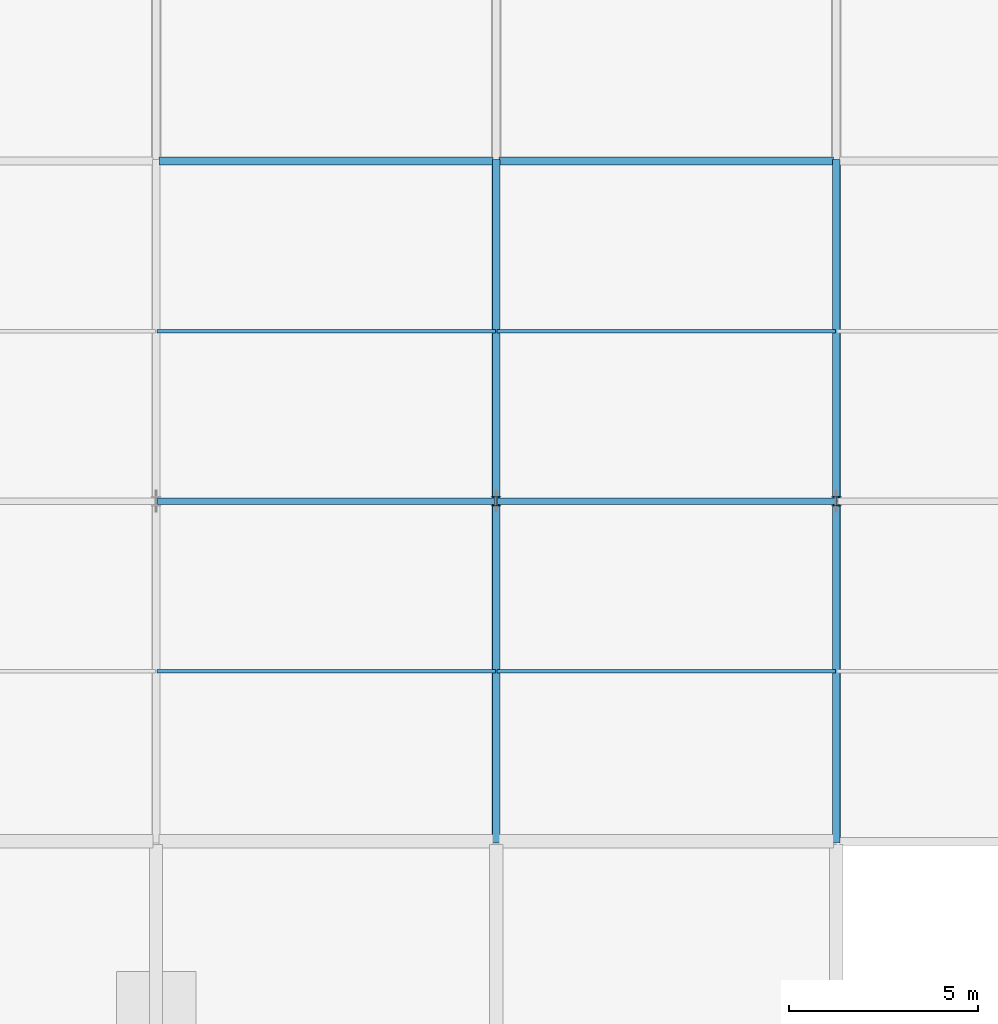
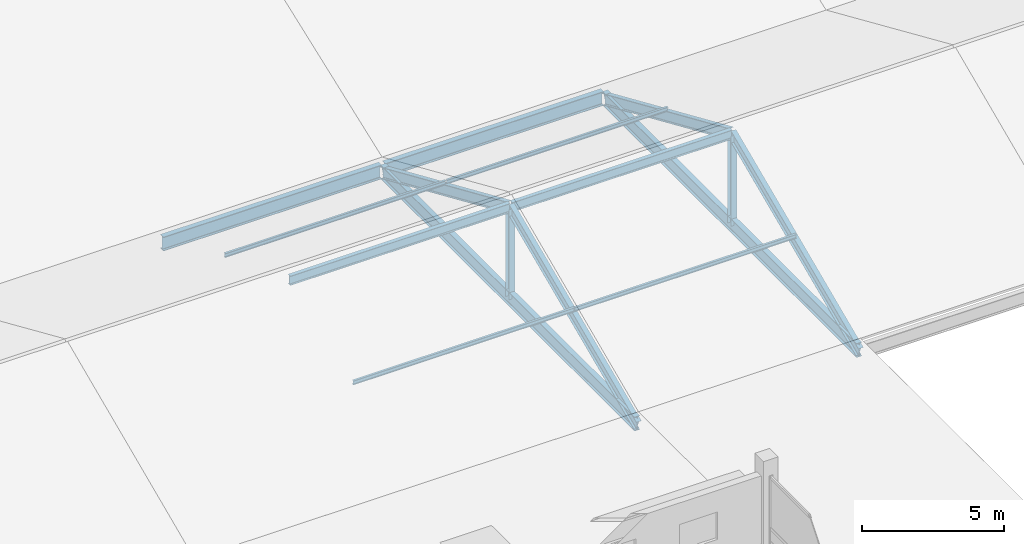
# One storey, part 20 of 163: 12 members, 4 beams.
"""IFC4 building model written with IfcOpenShell, lengths in metres."""

from ifc_helpers import new_model, si_unit, direction, frame, origin, origin_2d, place, context, subcontext, project, spatial, i_section, extrude, material, material_profile, profile_set, type_object, element, save


model = new_model("IFC4")

# Units and contexts
model_context = context("Model", 3, precision=1e-05, world=origin(), true_north=direction((0.0, 1.0)))
body_context = subcontext(model_context, "Body", "Model", "MODEL_VIEW")
ifc_project = project(units=[si_unit("LENGTHUNIT", "METRE"), si_unit("AREAUNIT", "SQUARE_METRE"), si_unit("VOLUMEUNIT", "CUBIC_METRE"), si_unit("PLANEANGLEUNIT", "RADIAN"), si_unit("MASSUNIT", "GRAM", prefix="KILO")], contexts=[model_context])

# Site, building, storey
site_placement = place(None, origin())
site = spatial("IfcSite", under=ifc_project, at=site_placement, CompositionType="ELEMENT")
building_placement = place(site_placement, origin())
building = spatial("IfcBuilding", under=site, at=building_placement, Name="Tharagai Park Tramway Depot", CompositionType="ELEMENT")
storey_placement = place(building_placement, frame((0.0, 0.0, 8.39990234375)))
storey = spatial("IfcBuildingStorey", under=building, at=storey_placement, Name="L02", CompositionType="ELEMENT", Elevation=8.39990234375)

# Beams
ifc_material_1 = material(Name="Steel E350", Category="steel")
ifc_material_profile_1 = material_profile(ifc_material_1, i_section(OverallWidth=0.2099609375, OverallDepth=0.60009765625, WebThickness=0.011962890625, FlangeThickness=0.020751953125, FilletRadius=0.02001953125, at=origin_2d()), Name="ISMB 600")
ifc_profile_set_1 = profile_set([ifc_material_profile_1], Name="Steel E350")
beam_type = type_object("IfcBeamType", Name="BM-10", PredefinedType="BEAM", material=ifc_profile_set_1)
for number, where, z_axis, x_axis, name in (
    (1, (45.080078125, 63.0, -0.5498046875), (1.0, 0.0, 0.0), (0.0, 1.0, 0.0), "V2A Roof Eave Girder BM-10"),
    (2, (54.080078125, 63.0, -0.5498046875), (1.0, 0.0, 0.0), (0.0, 1.0, 0.0), "V2A Roof Eave Girder BM-10"),
):
    element("IfcBeam", number, at=place(storey_placement, frame(where, z_axis=z_axis, x_axis=x_axis)), inside=storey, type_object=beam_type, Name=name, PredefinedType="BEAM", context=body_context, shape_type="SweptSolid", body=[
        extrude(i_section(OverallWidth=0.2099609375, OverallDepth=0.60009765625, WebThickness=0.011962890625, FlangeThickness=0.020751953125, FilletRadius=0.02001953125, at=origin_2d()), origin(), (0.0, 0.0, 1.0), 8.83984375),
    ])
for number, where, z_axis, x_axis, name in (
    (3, (54.0, 45.080078125, -0.5498046875), (0.0, 1.0, 0.0), (-1.0, 0.0, 0.0), "V2A Gable Tie Girder BM-10"),
    (4, (63.0, 45.080078125, -0.5498046875), (0.0, 1.0, 0.0), (-1.0, 0.0, 0.0), "V2A Gable Tie Girder BM-10"),
):
    element("IfcBeam", number, at=place(storey_placement, frame(where, z_axis=z_axis, x_axis=x_axis)), inside=storey, type_object=beam_type, Name=name, PredefinedType="BEAM", context=body_context, shape_type="SweptSolid", body=[
        extrude(i_section(OverallWidth=0.2099609375, OverallDepth=0.60009765625, WebThickness=0.011962890625, FlangeThickness=0.020751953125, FilletRadius=0.02001953125, at=origin_2d()), origin(), (0.0, 0.0, 1.0), 17.83984375),
    ])

# Members
ifc_material_profile_2 = material_profile(ifc_material_1, i_section(OverallWidth=0.25, OverallDepth=0.25, WebThickness=0.0087890625, FlangeThickness=0.009765625, FilletRadius=0.010009765625, at=origin_2d()), Name="ISHB 250")
ifc_profile_set_2 = profile_set([ifc_material_profile_2], Name="Steel E350")
member_type_1 = type_object("IfcMemberType", Name="BR-01", PredefinedType="BRACE", material=ifc_profile_set_2)
for number, where, z_axis, x_axis, name in (
    (5, (54.0, 54.0, -0.5498046875), (0.0, 0.0, 1.0), (1.0, 0.0, 0.0), "V2A Gable King Strut BR-01"),
    (6, (63.0, 54.0, -0.5498046875), (0.0, 0.0, 1.0), (1.0, 0.0, 0.0), "V2A Gable King Strut BR-01"),
):
    element("IfcMember", number, at=place(storey_placement, frame(where, z_axis=z_axis, x_axis=x_axis)), inside=storey, type_object=member_type_1, Name=name, PredefinedType="BRACE", context=body_context, shape_type="SweptSolid", body=[
        extrude(i_section(OverallWidth=0.25, OverallDepth=0.25, WebThickness=0.0087890625, FlangeThickness=0.009765625, FilletRadius=0.010009765625, at=origin_2d()), origin(), (0.0, 0.0, 1.0), 3.85791015625),
    ])
ifc_material_2 = material(Name="Steel E250", Category="steel")
ifc_material_profile_3 = material_profile(ifc_material_2, i_section(OverallWidth=0.090087890625, OverallDepth=0.175048828125, WebThickness=0.005615234375, FlangeThickness=0.009033203125, FilletRadius=0.010009765625, at=origin_2d()), Name="ISMB 175")
ifc_profile_set_3 = profile_set([ifc_material_profile_3], Name="Steel E250")
member_type_2 = type_object("IfcMemberType", Name="PR-01", PredefinedType="PURLIN", material=ifc_profile_set_3)
for number, where, z_axis, x_axis, name in (
    (7, (45.02001953125, 49.5, 1.6689453125), (1.0, 0.0, 0.0), (0.0, 1.0, 0.0), "V2A Roof Purlin PR-01"),
    (8, (45.02001953125, 58.5, 1.6689453125), (1.0, 0.0, 0.0), (0.0, 1.0, 0.0), "V2A Roof Purlin PR-01"),
    (9, (54.02001953125, 49.5, 1.6689453125), (1.0, 0.0, 0.0), (0.0, 1.0, 0.0), "V2A Roof Purlin PR-01"),
    (10, (54.02001953125, 58.5, 1.6689453125), (1.0, 0.0, 0.0), (0.0, 1.0, 0.0), "V2A Roof Purlin PR-01"),
):
    element("IfcMember", number, at=place(storey_placement, frame(where, z_axis=z_axis, x_axis=x_axis)), inside=storey, type_object=member_type_2, Name=name, PredefinedType="PURLIN", context=body_context, shape_type="SweptSolid", body=[
        extrude(i_section(OverallWidth=0.090087890625, OverallDepth=0.175048828125, WebThickness=0.005615234375, FlangeThickness=0.009033203125, FilletRadius=0.010009765625, at=origin_2d()), origin(), (0.0, 0.0, 1.0), 8.9599609375),
    ])
ifc_material_profile_4 = material_profile(ifc_material_1, i_section(OverallWidth=0.199951171875, OverallDepth=0.449951171875, WebThickness=0.00927734375, FlangeThickness=0.015380859375, FilletRadius=0.014892578125, at=origin_2d()), Name="ISWB 450")
ifc_profile_set_4 = profile_set([ifc_material_profile_4], Name="Steel E350")
member_type_3 = type_object("IfcMemberType", Name="RF-03", PredefinedType="RAFTER", material=ifc_profile_set_4)
for number, where, z_axis, x_axis, name in (
    (11, (54.0, 45.050048828125, -0.605224609375), (0.0, 0.916242784214, 0.400623464584), (-1.0, 0.0, 0.0), "V2A Pitched Rafter RF-03 South"),
    (12, (54.0, 54.0, 3.30810546875), (0.0, 0.916242784214, -0.400623464584), (-1.0, 0.0, 0.0), "V2A Pitched Rafter RF-03 North"),
    (13, (63.0, 45.050048828125, -0.605224609375), (0.0, 0.916242784214, 0.400623464584), (-1.0, 0.0, 0.0), "V2A Pitched Rafter RF-03 South"),
    (14, (63.0, 54.0, 3.30810546875), (0.0, 0.916242784214, -0.400623464584), (-1.0, 0.0, 0.0), "V2A Pitched Rafter RF-03 North"),
):
    element("IfcMember", number, at=place(storey_placement, frame(where, z_axis=z_axis, x_axis=x_axis)), inside=storey, type_object=member_type_3, Name=name, PredefinedType="RAFTER", context=body_context, shape_type="SweptSolid", body=[
        extrude(i_section(OverallWidth=0.199951171875, OverallDepth=0.449951171875, WebThickness=0.00927734375, FlangeThickness=0.015380859375, FilletRadius=0.014892578125, at=origin_2d()), origin(), (0.0, 0.0, 1.0), 9.76806640625),
    ])
ifc_material_profile_5 = material_profile(ifc_material_1, i_section(OverallWidth=0.1650390625, OverallDepth=0.39990234375, WebThickness=0.008056640625, FlangeThickness=0.012451171875, FilletRadius=0.013916015625, at=origin_2d()), Name="ISLB 400")
ifc_profile_set_5 = profile_set([ifc_material_profile_5], Name="Steel E350")
member_type_4 = type_object("IfcMemberType", Name="TC-04", PredefinedType="CHORD", material=ifc_profile_set_5)
for number, where, z_axis, x_axis, name in (
    (15, (45.0400390625, 54.0, 3.3330078125), (1.0, 0.0, 0.0), (0.0, 1.0, 0.0), "V2A Roof Ridge Chord TC-04"),
    (16, (54.0400390625, 54.0, 3.3330078125), (1.0, 0.0, 0.0), (0.0, 1.0, 0.0), "V2A Roof Ridge Chord TC-04"),
):
    element("IfcMember", number, at=place(storey_placement, frame(where, z_axis=z_axis, x_axis=x_axis)), inside=storey, type_object=member_type_4, Name=name, PredefinedType="CHORD", context=body_context, shape_type="SweptSolid", body=[
        extrude(i_section(OverallWidth=0.1650390625, OverallDepth=0.39990234375, WebThickness=0.008056640625, FlangeThickness=0.012451171875, FilletRadius=0.013916015625, at=origin_2d()), origin(), (0.0, 0.0, 1.0), 8.919921875),
    ])

save(model, "model.ifc")
